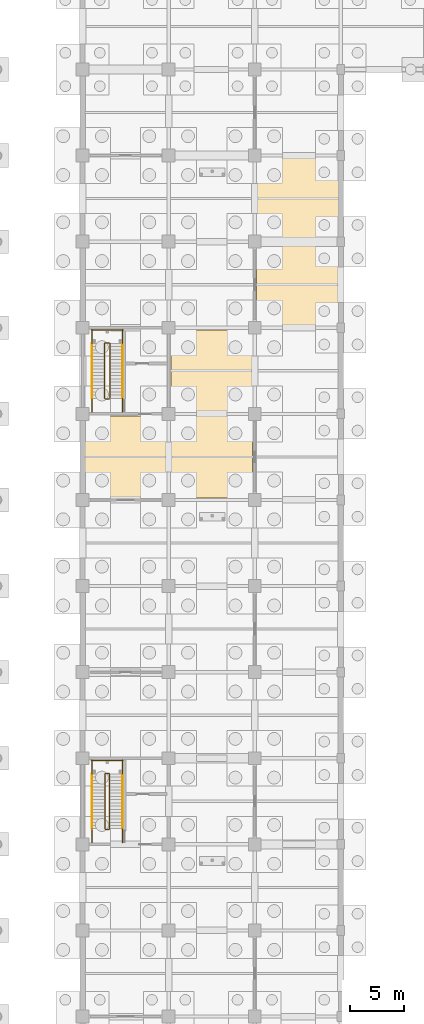
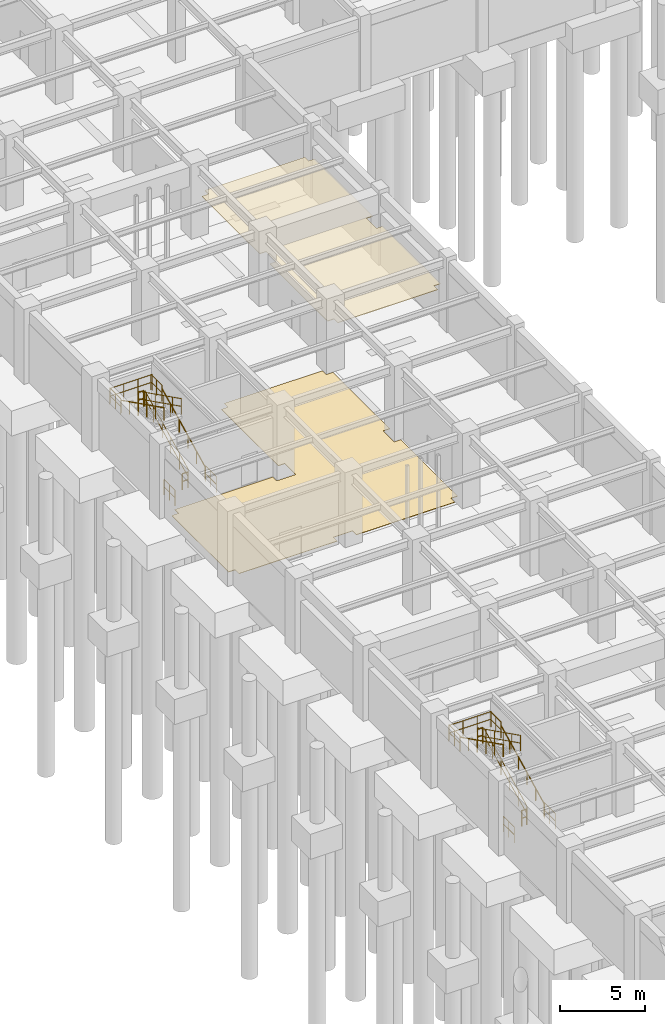
# One storey, part 93 of 97: 22 railings, 2 coverings.
"""IFC4 building model written with IfcOpenShell, lengths in metres."""

from ifc_helpers import new_model, si_unit, direction, frame, origin, origin_2d, place, context, subcontext, project, spatial, polyline, circle, outline, extrude, material, layer, layer_set, type_object, element, save


model = new_model("IFC4")

# Units and contexts
model_context = context("Model", 3, precision=1e-05, world=origin(), true_north=direction((0.0, 1.0)))
body_context = subcontext(model_context, "Body", "Model", "MODEL_VIEW")
ifc_project = project(units=[si_unit("LENGTHUNIT", "METRE"), si_unit("AREAUNIT", "SQUARE_METRE"), si_unit("VOLUMEUNIT", "CUBIC_METRE"), si_unit("PLANEANGLEUNIT", "RADIAN"), si_unit("MASSUNIT", "GRAM", prefix="KILO")], contexts=[model_context])

# Site, building, storey
site_placement = place(None, origin())
site = spatial("IfcSite", under=ifc_project, at=site_placement, CompositionType="ELEMENT")
building_placement = place(site_placement, origin())
building = spatial("IfcBuilding", under=site, at=building_placement, Name="Haebicheon Civic Stadium", CompositionType="ELEMENT")
storey_placement = place(building_placement, frame((0.0, 0.0, -5.39990234375)))
storey = spatial("IfcBuildingStorey", under=building, at=storey_placement, Name="B1", CompositionType="ELEMENT", Elevation=-5.39990234375)

# Coverings
ifc_material_1 = material(Name="Perforated mineral-fibre acoustic board", Category="gypsum")
ifc_layer_1 = layer(ifc_material_1, 0.0400390625, Name="Perforated mineral-fibre acoustic board")
ifc_layer_set_1 = layer_set([ifc_layer_1], Name="Perforated mineral-fibre acoustic board")
covering_type_1 = type_object("IfcCoveringType", Name="COV-CLG-AC", PredefinedType="CEILING", material=ifc_layer_set_1)
covering_1_placement = place(storey_placement, frame((0.0, 0.0, 2.809814453125)))
element("IfcCovering", 1, at=covering_1_placement, inside=storey, type_object=covering_type_1, material=ifc_layer_set_1, Name="B1 Broadcast Fibre Patch Room acoustic ceiling", PredefinedType="CEILING", context=body_context, shape_type="SweptSolid", body=[
    extrude(outline(polyline([(160.594970703125, 112.14501953125), (160.594970703125, 112.594970703125), (160.14501953125, 112.594970703125), (160.14501953125, 119.405029296875), (160.594970703125, 119.405029296875), (160.594970703125, 120.594970703125), (160.14501953125, 120.594970703125), (160.14501953125, 127.405029296875), (160.594970703125, 127.405029296875), (160.594970703125, 127.85498046875), (167.405029296875, 127.85498046875), (167.405029296875, 127.405029296875), (167.85498046875, 127.405029296875), (167.85498046875, 120.594970703125), (167.405029296875, 120.594970703125), (167.405029296875, 119.405029296875), (167.85498046875, 119.405029296875), (167.85498046875, 112.594970703125), (167.405029296875, 112.594970703125), (167.405029296875, 112.14501953125), (160.594970703125, 112.14501953125)])), origin(), (0.0, 0.0, 1.0), 0.0400390625),
])
ifc_material_2 = material(Name="Quartz epoxy resin mortar", Category="concrete")
ifc_layer_2 = layer(ifc_material_2, 0.030029296875, Name="Quartz epoxy resin mortar")
ifc_layer_set_2 = layer_set([ifc_layer_2], Name="Quartz epoxy resin mortar")
covering_type_2 = type_object("IfcCoveringType", Name="COV-FLR-EPX", PredefinedType="FLOORING", material=ifc_layer_set_2)
covering_2_placement = place(storey_placement, origin())
element("IfcCovering", 2, at=covering_2_placement, inside=storey, type_object=covering_type_2, material=ifc_layer_set_2, Name="B1 Central Catering Production Kitchen non-slip floor finish", PredefinedType="FLOORING", context=body_context, shape_type="SweptSolid", body=[
    extrude(outline(polyline([(144.199951171875, 103.35009765625), (144.64990234375, 103.35009765625), (144.64990234375, 103.800048828125), (151.35009765625, 103.800048828125), (151.35009765625, 103.35009765625), (152.64990234375, 103.35009765625), (152.64990234375, 104.64990234375), (152.199951171875, 104.64990234375), (152.199951171875, 111.35009765625), (152.64990234375, 111.35009765625), (152.64990234375, 111.800048828125), (159.35009765625, 111.800048828125), (159.35009765625, 111.35009765625), (159.800048828125, 111.35009765625), (159.800048828125, 104.64990234375), (159.35009765625, 104.64990234375), (159.35009765625, 103.35009765625), (159.800048828125, 103.35009765625), (159.800048828125, 96.64990234375), (159.35009765625, 96.64990234375), (159.35009765625, 96.199951171875), (152.64990234375, 96.199951171875), (152.64990234375, 96.64990234375), (151.35009765625, 96.64990234375), (151.35009765625, 96.199951171875), (144.64990234375, 96.199951171875), (144.64990234375, 96.64990234375), (144.199951171875, 96.64990234375), (144.199951171875, 103.35009765625)])), origin(), (0.0, 0.0, 1.0), 0.02978515625),
])

# Railings
ifc_material_3 = material(Name="Galvanised painted steel SM355", Category="steel")
railing_type_1 = type_object("IfcRailingType", Name="RL-GRD-1150", PredefinedType="GUARDRAIL", material=ifc_material_3)
railing_1_placement = place(storey_placement, frame((146.510009765625, 65.449951171875, 0.14990234375)))
element("IfcRailing", 3, at=railing_1_placement, inside=storey, type_object=railing_type_1, material=ifc_material_3, Name="B1 ST-10 stair guard 1", PredefinedType="GUARDRAIL", context=body_context, shape_type="SweptSolid", body=[
    extrude(circle(Radius=0.02392578125, at=origin_2d()), frame((0.0, 0.0, 1.1259765625), z_axis=(0.0, 0.894427191, 0.4472135955), x_axis=(-1.0, 0.0, 0.0)), (0.0, 0.0, 1.0), 5.7021484375),
    extrude(circle(Radius=0.02392578125, at=origin_2d()), frame((0.0, 0.0, 0.574951171875), z_axis=(0.0, 0.894427191, 0.4472135955), x_axis=(-1.0, 0.0, 0.0)), (0.0, 0.0, 1.0), 5.7021484375),
    extrude(circle(Radius=0.02099609375, at=origin_2d()), origin(), (0.0, 0.0, 1.0), 1.101806640625),
    extrude(circle(Radius=0.02099609375, at=origin_2d()), frame((0.0, 1.02001953125, 0.510009765625)), (0.0, 0.0, 1.0), 1.101806640625),
    extrude(circle(Radius=0.02099609375, at=origin_2d()), frame((0.0, 2.0400390625, 1.02001953125)), (0.0, 0.0, 1.0), 1.101806640625),
    extrude(circle(Radius=0.02099609375, at=origin_2d()), frame((0.0, 3.06005859375, 1.530029296875)), (0.0, 0.0, 1.0), 1.101806640625),
    extrude(circle(Radius=0.02099609375, at=origin_2d()), frame((0.0, 4.080078125, 2.0400390625)), (0.0, 0.0, 1.0), 1.101806640625),
    extrude(circle(Radius=0.02099609375, at=origin_2d()), frame((0.0, 5.10009765625, 2.550048828125)), (0.0, 0.0, 1.0), 1.101806640625),
])
railing_2_placement = place(storey_placement, frame((146.4599609375, 70.60009765625, 2.699951171875)))
element("IfcRailing", 4, at=railing_2_placement, inside=storey, type_object=railing_type_1, material=ifc_material_3, Name="B1 ST-10 stair guard 2", PredefinedType="GUARDRAIL", context=body_context, shape_type="SweptSolid", body=[
    extrude(circle(Radius=0.02392578125, at=origin_2d()), frame((0.0, 0.0, 1.1259765625), z_axis=(-1.0, 0.0, 0.0), x_axis=(0.0, -1.0, 0.0)), (0.0, 0.0, 1.0), 0.33984375),
    extrude(circle(Radius=0.02392578125, at=origin_2d()), frame((0.0, 0.0, 0.574951171875), z_axis=(-1.0, 0.0, 0.0), x_axis=(0.0, -1.0, 0.0)), (0.0, 0.0, 1.0), 0.33984375),
    extrude(circle(Radius=0.02099609375, at=origin_2d()), origin(), (0.0, 0.0, 1.0), 1.101806640625),
    extrude(circle(Radius=0.02099609375, at=origin_2d()), frame((-0.33984375, 0.0, 0.0)), (0.0, 0.0, 1.0), 1.101806640625),
])
for number, where, name in (
    (5, (147.68994140625, 70.550048828125, 2.699951171875), "B1 ST-10 stair guard 3"),
    (6, (144.889892578125, 70.550048828125, 2.699951171875), "B1 ST-10 stair guard 4"),
):
    element("IfcRailing", number, at=place(storey_placement, frame(where)), inside=storey, type_object=railing_type_1, material=ifc_material_3, Name=name, PredefinedType="GUARDRAIL", context=body_context, shape_type="SweptSolid", body=[
        extrude(circle(Radius=0.02392578125, at=origin_2d()), frame((0.0, 0.0, 1.1259765625), z_axis=(0.0, 1.0, 0.0), x_axis=(-1.0, 0.0, 0.0)), (0.0, 0.0, 1.0), 1.2900390625),
        extrude(circle(Radius=0.02392578125, at=origin_2d()), frame((0.0, 0.0, 0.574951171875), z_axis=(0.0, 1.0, 0.0), x_axis=(-1.0, 0.0, 0.0)), (0.0, 0.0, 1.0), 1.2900390625),
        extrude(circle(Radius=0.02099609375, at=origin_2d()), origin(), (0.0, 0.0, 1.0), 1.101806640625),
        extrude(circle(Radius=0.02099609375, at=origin_2d()), frame((0.0, 0.64501953125, 0.0)), (0.0, 0.0, 1.0), 1.101806640625),
        extrude(circle(Radius=0.02099609375, at=origin_2d()), frame((0.0, 1.2900390625, 0.0)), (0.0, 0.0, 1.0), 1.101806640625),
    ])
railing_3_placement = place(storey_placement, frame((147.739990234375, 71.7900390625, 2.699951171875)))
element("IfcRailing", 7, at=railing_3_placement, inside=storey, type_object=railing_type_1, material=ifc_material_3, Name="B1 ST-10 stair guard 5", PredefinedType="GUARDRAIL", context=body_context, shape_type="SweptSolid", body=[
    extrude(circle(Radius=0.02392578125, at=origin_2d()), frame((0.0, 0.0, 1.1259765625), z_axis=(-1.0, 0.0, 0.0), x_axis=(0.0, -1.0, 0.0)), (0.0, 0.0, 1.0), 2.89990234375),
    extrude(circle(Radius=0.02392578125, at=origin_2d()), frame((0.0, 0.0, 0.574951171875), z_axis=(-1.0, 0.0, 0.0), x_axis=(0.0, -1.0, 0.0)), (0.0, 0.0, 1.0), 2.89990234375),
    extrude(circle(Radius=0.02099609375, at=origin_2d()), origin(), (0.0, 0.0, 1.0), 1.101806640625),
    extrude(circle(Radius=0.02099609375, at=origin_2d()), frame((-0.966552734375, 0.0, 0.0)), (0.0, 0.0, 1.0), 1.101806640625),
    extrude(circle(Radius=0.02099609375, at=origin_2d()), frame((-1.933349609375, 0.0, 0.0)), (0.0, 0.0, 1.0), 1.101806640625),
    extrude(circle(Radius=0.02099609375, at=origin_2d()), frame((-2.89990234375, 0.0, 0.0)), (0.0, 0.0, 1.0), 1.101806640625),
])
railing_4_placement = place(storey_placement, frame((146.070068359375, 70.550048828125, 2.849853515625)))
element("IfcRailing", 8, at=railing_4_placement, inside=storey, type_object=railing_type_1, material=ifc_material_3, Name="B1 ST-10 stair guard 6", PredefinedType="GUARDRAIL", context=body_context, shape_type="SweptSolid", body=[
    extrude(circle(Radius=0.02392578125, at=origin_2d()), frame((0.0, 0.0, 1.1259765625), z_axis=(0.0, -0.894427191, 0.4472135955), x_axis=(1.0, 0.0, 0.0)), (0.0, 0.0, 1.0), 5.7021484375),
    extrude(circle(Radius=0.02392578125, at=origin_2d()), frame((0.0, 0.0, 0.574951171875), z_axis=(0.0, -0.894427191, 0.4472135955), x_axis=(1.0, 0.0, 0.0)), (0.0, 0.0, 1.0), 5.7021484375),
    extrude(circle(Radius=0.02099609375, at=origin_2d()), origin(), (0.0, 0.0, 1.0), 1.101806640625),
    extrude(circle(Radius=0.02099609375, at=origin_2d()), frame((0.0, -1.02001953125, 0.510009765625)), (0.0, 0.0, 1.0), 1.101806640625),
    extrude(circle(Radius=0.02099609375, at=origin_2d()), frame((0.0, -2.0400390625, 1.02001953125)), (0.0, 0.0, 1.0), 1.101806640625),
    extrude(circle(Radius=0.02099609375, at=origin_2d()), frame((0.0, -3.06005859375, 1.530029296875)), (0.0, 0.0, 1.0), 1.101806640625),
    extrude(circle(Radius=0.02099609375, at=origin_2d()), frame((0.0, -4.080078125, 2.0400390625)), (0.0, 0.0, 1.0), 1.101806640625),
    extrude(circle(Radius=0.02099609375, at=origin_2d()), frame((0.0, -5.10009765625, 2.550048828125)), (0.0, 0.0, 1.0), 1.101806640625),
])
railing_5_placement = place(storey_placement, frame((146.4599609375, 65.39990234375, 0.0)))
element("IfcRailing", 9, at=railing_5_placement, inside=storey, type_object=railing_type_1, material=ifc_material_3, Name="B1 ST-10 stair guard 7", PredefinedType="GUARDRAIL", context=body_context, shape_type="SweptSolid", body=[
    extrude(circle(Radius=0.02392578125, at=origin_2d()), frame((0.0, 0.0, 1.1259765625), z_axis=(-1.0, 0.0, 0.0), x_axis=(0.0, -1.0, 0.0)), (0.0, 0.0, 1.0), 0.33984375),
    extrude(circle(Radius=0.02392578125, at=origin_2d()), frame((0.0, 0.0, 0.574951171875), z_axis=(-1.0, 0.0, 0.0), x_axis=(0.0, -1.0, 0.0)), (0.0, 0.0, 1.0), 0.33984375),
    extrude(circle(Radius=0.02099609375, at=origin_2d()), origin(), (0.0, 0.0, 1.0), 1.101806640625),
    extrude(circle(Radius=0.02099609375, at=origin_2d()), frame((-0.33984375, 0.0, 0.0)), (0.0, 0.0, 1.0), 1.101806640625),
])
for number, where, name in (
    (10, (147.68994140625, 64.159912109375, 0.0), "B1 ST-10 stair guard 8"),
    (11, (144.889892578125, 64.159912109375, 0.0), "B1 ST-10 stair guard 9"),
):
    element("IfcRailing", number, at=place(storey_placement, frame(where)), inside=storey, type_object=railing_type_1, material=ifc_material_3, Name=name, PredefinedType="GUARDRAIL", context=body_context, shape_type="SweptSolid", body=[
        extrude(circle(Radius=0.02392578125, at=origin_2d()), frame((0.0, 0.0, 1.1259765625), z_axis=(0.0, 1.0, 0.0), x_axis=(-1.0, 0.0, 0.0)), (0.0, 0.0, 1.0), 1.2900390625),
        extrude(circle(Radius=0.02392578125, at=origin_2d()), frame((0.0, 0.0, 0.574951171875), z_axis=(0.0, 1.0, 0.0), x_axis=(-1.0, 0.0, 0.0)), (0.0, 0.0, 1.0), 1.2900390625),
        extrude(circle(Radius=0.02099609375, at=origin_2d()), origin(), (0.0, 0.0, 1.0), 1.101806640625),
        extrude(circle(Radius=0.02099609375, at=origin_2d()), frame((0.0, 0.64501953125, 0.0)), (0.0, 0.0, 1.0), 1.101806640625),
        extrude(circle(Radius=0.02099609375, at=origin_2d()), frame((0.0, 1.2900390625, 0.0)), (0.0, 0.0, 1.0), 1.101806640625),
    ])
railing_6_placement = place(storey_placement, frame((146.530029296875, 105.449951171875, 0.14990234375)))
element("IfcRailing", 12, at=railing_6_placement, inside=storey, type_object=railing_type_1, material=ifc_material_3, Name="B1 ST-11 stair guard 1", PredefinedType="GUARDRAIL", context=body_context, shape_type="SweptSolid", body=[
    extrude(circle(Radius=0.02392578125, at=origin_2d()), frame((0.0, 0.0, 1.1259765625), z_axis=(0.0, 0.894427191, 0.4472135955), x_axis=(-1.0, 0.0, 0.0)), (0.0, 0.0, 1.0), 5.7021484375),
    extrude(circle(Radius=0.02392578125, at=origin_2d()), frame((0.0, 0.0, 0.574951171875), z_axis=(0.0, 0.894427191, 0.4472135955), x_axis=(-1.0, 0.0, 0.0)), (0.0, 0.0, 1.0), 5.7021484375),
    extrude(circle(Radius=0.02099609375, at=origin_2d()), origin(), (0.0, 0.0, 1.0), 1.101806640625),
    extrude(circle(Radius=0.02099609375, at=origin_2d()), frame((0.0, 1.02001953125, 0.510009765625)), (0.0, 0.0, 1.0), 1.101806640625),
    extrude(circle(Radius=0.02099609375, at=origin_2d()), frame((0.0, 2.0400390625, 1.02001953125)), (0.0, 0.0, 1.0), 1.101806640625),
    extrude(circle(Radius=0.02099609375, at=origin_2d()), frame((0.0, 3.06005859375, 1.530029296875)), (0.0, 0.0, 1.0), 1.101806640625),
    extrude(circle(Radius=0.02099609375, at=origin_2d()), frame((0.0, 4.080078125, 2.0400390625)), (0.0, 0.0, 1.0), 1.101806640625),
    extrude(circle(Radius=0.02099609375, at=origin_2d()), frame((0.0, 5.10009765625, 2.550048828125)), (0.0, 0.0, 1.0), 1.101806640625),
])
railing_7_placement = place(storey_placement, frame((146.47998046875, 110.60009765625, 2.699951171875)))
element("IfcRailing", 13, at=railing_7_placement, inside=storey, type_object=railing_type_1, material=ifc_material_3, Name="B1 ST-11 stair guard 2", PredefinedType="GUARDRAIL", context=body_context, shape_type="SweptSolid", body=[
    extrude(circle(Radius=0.02392578125, at=origin_2d()), frame((0.0, 0.0, 1.1259765625), z_axis=(-1.0, 0.0, 0.0), x_axis=(0.0, -1.0, 0.0)), (0.0, 0.0, 1.0), 0.3798828125),
    extrude(circle(Radius=0.02392578125, at=origin_2d()), frame((0.0, 0.0, 0.574951171875), z_axis=(-1.0, 0.0, 0.0), x_axis=(0.0, -1.0, 0.0)), (0.0, 0.0, 1.0), 0.3798828125),
    extrude(circle(Radius=0.02099609375, at=origin_2d()), origin(), (0.0, 0.0, 1.0), 1.101806640625),
    extrude(circle(Radius=0.02099609375, at=origin_2d()), frame((-0.3798828125, 0.0, 0.0)), (0.0, 0.0, 1.0), 1.101806640625),
])
for number, where, name in (
    (14, (147.68994140625, 110.550048828125, 2.699951171875), "B1 ST-11 stair guard 3"),
    (15, (144.889892578125, 110.550048828125, 2.699951171875), "B1 ST-11 stair guard 4"),
):
    element("IfcRailing", number, at=place(storey_placement, frame(where)), inside=storey, type_object=railing_type_1, material=ifc_material_3, Name=name, PredefinedType="GUARDRAIL", context=body_context, shape_type="SweptSolid", body=[
        extrude(circle(Radius=0.02392578125, at=origin_2d()), frame((0.0, 0.0, 1.1259765625), z_axis=(0.0, 1.0, 0.0), x_axis=(-1.0, 0.0, 0.0)), (0.0, 0.0, 1.0), 1.2900390625),
        extrude(circle(Radius=0.02392578125, at=origin_2d()), frame((0.0, 0.0, 0.574951171875), z_axis=(0.0, 1.0, 0.0), x_axis=(-1.0, 0.0, 0.0)), (0.0, 0.0, 1.0), 1.2900390625),
        extrude(circle(Radius=0.02099609375, at=origin_2d()), origin(), (0.0, 0.0, 1.0), 1.101806640625),
        extrude(circle(Radius=0.02099609375, at=origin_2d()), frame((0.0, 0.64501953125, 0.0)), (0.0, 0.0, 1.0), 1.101806640625),
        extrude(circle(Radius=0.02099609375, at=origin_2d()), frame((0.0, 1.2900390625, 0.0)), (0.0, 0.0, 1.0), 1.101806640625),
    ])
railing_8_placement = place(storey_placement, frame((147.739990234375, 111.7900390625, 2.699951171875)))
element("IfcRailing", 16, at=railing_8_placement, inside=storey, type_object=railing_type_1, material=ifc_material_3, Name="B1 ST-11 stair guard 5", PredefinedType="GUARDRAIL", context=body_context, shape_type="SweptSolid", body=[
    extrude(circle(Radius=0.02392578125, at=origin_2d()), frame((0.0, 0.0, 1.1259765625), z_axis=(-1.0, 0.0, 0.0), x_axis=(0.0, -1.0, 0.0)), (0.0, 0.0, 1.0), 2.89990234375),
    extrude(circle(Radius=0.02392578125, at=origin_2d()), frame((0.0, 0.0, 0.574951171875), z_axis=(-1.0, 0.0, 0.0), x_axis=(0.0, -1.0, 0.0)), (0.0, 0.0, 1.0), 2.89990234375),
    extrude(circle(Radius=0.02099609375, at=origin_2d()), origin(), (0.0, 0.0, 1.0), 1.101806640625),
    extrude(circle(Radius=0.02099609375, at=origin_2d()), frame((-0.966552734375, 0.0, 0.0)), (0.0, 0.0, 1.0), 1.101806640625),
    extrude(circle(Radius=0.02099609375, at=origin_2d()), frame((-1.933349609375, 0.0, 0.0)), (0.0, 0.0, 1.0), 1.101806640625),
    extrude(circle(Radius=0.02099609375, at=origin_2d()), frame((-2.89990234375, 0.0, 0.0)), (0.0, 0.0, 1.0), 1.101806640625),
])
railing_9_placement = place(storey_placement, frame((146.050048828125, 110.550048828125, 2.849853515625)))
element("IfcRailing", 17, at=railing_9_placement, inside=storey, type_object=railing_type_1, material=ifc_material_3, Name="B1 ST-11 stair guard 6", PredefinedType="GUARDRAIL", context=body_context, shape_type="SweptSolid", body=[
    extrude(circle(Radius=0.02392578125, at=origin_2d()), frame((0.0, 0.0, 1.1259765625), z_axis=(0.0, -0.894427191, 0.4472135955), x_axis=(1.0, 0.0, 0.0)), (0.0, 0.0, 1.0), 5.7021484375),
    extrude(circle(Radius=0.02392578125, at=origin_2d()), frame((0.0, 0.0, 0.574951171875), z_axis=(0.0, -0.894427191, 0.4472135955), x_axis=(1.0, 0.0, 0.0)), (0.0, 0.0, 1.0), 5.7021484375),
    extrude(circle(Radius=0.02099609375, at=origin_2d()), origin(), (0.0, 0.0, 1.0), 1.101806640625),
    extrude(circle(Radius=0.02099609375, at=origin_2d()), frame((0.0, -1.02001953125, 0.510009765625)), (0.0, 0.0, 1.0), 1.101806640625),
    extrude(circle(Radius=0.02099609375, at=origin_2d()), frame((0.0, -2.0400390625, 1.02001953125)), (0.0, 0.0, 1.0), 1.101806640625),
    extrude(circle(Radius=0.02099609375, at=origin_2d()), frame((0.0, -3.06005859375, 1.530029296875)), (0.0, 0.0, 1.0), 1.101806640625),
    extrude(circle(Radius=0.02099609375, at=origin_2d()), frame((0.0, -4.080078125, 2.0400390625)), (0.0, 0.0, 1.0), 1.101806640625),
    extrude(circle(Radius=0.02099609375, at=origin_2d()), frame((0.0, -5.10009765625, 2.550048828125)), (0.0, 0.0, 1.0), 1.101806640625),
])
railing_10_placement = place(storey_placement, frame((146.47998046875, 105.39990234375, 0.0)))
element("IfcRailing", 18, at=railing_10_placement, inside=storey, type_object=railing_type_1, material=ifc_material_3, Name="B1 ST-11 stair guard 7", PredefinedType="GUARDRAIL", context=body_context, shape_type="SweptSolid", body=[
    extrude(circle(Radius=0.02392578125, at=origin_2d()), frame((0.0, 0.0, 1.1259765625), z_axis=(-1.0, 0.0, 0.0), x_axis=(0.0, -1.0, 0.0)), (0.0, 0.0, 1.0), 0.3798828125),
    extrude(circle(Radius=0.02392578125, at=origin_2d()), frame((0.0, 0.0, 0.574951171875), z_axis=(-1.0, 0.0, 0.0), x_axis=(0.0, -1.0, 0.0)), (0.0, 0.0, 1.0), 0.3798828125),
    extrude(circle(Radius=0.02099609375, at=origin_2d()), origin(), (0.0, 0.0, 1.0), 1.101806640625),
    extrude(circle(Radius=0.02099609375, at=origin_2d()), frame((-0.3798828125, 0.0, 0.0)), (0.0, 0.0, 1.0), 1.101806640625),
])
for number, where, name in (
    (19, (147.68994140625, 104.159912109375, 0.0), "B1 ST-11 stair guard 8"),
    (20, (144.889892578125, 104.159912109375, 0.0), "B1 ST-11 stair guard 9"),
):
    element("IfcRailing", number, at=place(storey_placement, frame(where)), inside=storey, type_object=railing_type_1, material=ifc_material_3, Name=name, PredefinedType="GUARDRAIL", context=body_context, shape_type="SweptSolid", body=[
        extrude(circle(Radius=0.02392578125, at=origin_2d()), frame((0.0, 0.0, 1.1259765625), z_axis=(0.0, 1.0, 0.0), x_axis=(-1.0, 0.0, 0.0)), (0.0, 0.0, 1.0), 1.2900390625),
        extrude(circle(Radius=0.02392578125, at=origin_2d()), frame((0.0, 0.0, 0.574951171875), z_axis=(0.0, 1.0, 0.0), x_axis=(-1.0, 0.0, 0.0)), (0.0, 0.0, 1.0), 1.2900390625),
        extrude(circle(Radius=0.02099609375, at=origin_2d()), origin(), (0.0, 0.0, 1.0), 1.101806640625),
        extrude(circle(Radius=0.02099609375, at=origin_2d()), frame((0.0, 0.64501953125, 0.0)), (0.0, 0.0, 1.0), 1.101806640625),
        extrude(circle(Radius=0.02099609375, at=origin_2d()), frame((0.0, 1.2900390625, 0.0)), (0.0, 0.0, 1.0), 1.101806640625),
    ])
ifc_material_4 = material(Name="Stainless steel 316", Category="steel")
railing_type_2 = type_object("IfcRailingType", Name="RL-HND-900", PredefinedType="HANDRAIL", material=ifc_material_4)
railing_11_placement = place(storey_placement, frame((147.68994140625, 65.449951171875, 0.14990234375)))
element("IfcRailing", 21, at=railing_11_placement, inside=storey, type_object=railing_type_2, material=ifc_material_4, Name="B1 ST-10 stair handrail 1", PredefinedType="HANDRAIL", context=body_context, shape_type="SweptSolid", body=[
    extrude(circle(Radius=0.02392578125, at=origin_2d()), frame((0.0, 0.0, 0.8759765625), z_axis=(0.0, 0.894427191, 0.4472135955), x_axis=(-1.0, 0.0, 0.0)), (0.0, 0.0, 1.0), 5.7021484375),
    extrude(circle(Radius=0.02099609375, at=origin_2d()), origin(), (0.0, 0.0, 1.0), 0.851806640625),
    extrude(circle(Radius=0.02099609375, at=origin_2d()), frame((0.0, 1.02001953125, 0.510009765625)), (0.0, 0.0, 1.0), 0.851806640625),
    extrude(circle(Radius=0.02099609375, at=origin_2d()), frame((0.0, 2.0400390625, 1.02001953125)), (0.0, 0.0, 1.0), 0.851806640625),
    extrude(circle(Radius=0.02099609375, at=origin_2d()), frame((0.0, 3.06005859375, 1.530029296875)), (0.0, 0.0, 1.0), 0.851806640625),
    extrude(circle(Radius=0.02099609375, at=origin_2d()), frame((0.0, 4.080078125, 2.0400390625)), (0.0, 0.0, 1.0), 0.851806640625),
    extrude(circle(Radius=0.02099609375, at=origin_2d()), frame((0.0, 5.10009765625, 2.550048828125)), (0.0, 0.0, 1.0), 0.851806640625),
])
railing_12_placement = place(storey_placement, frame((144.889892578125, 70.550048828125, 2.849853515625)))
element("IfcRailing", 22, at=railing_12_placement, inside=storey, type_object=railing_type_2, material=ifc_material_4, Name="B1 ST-10 stair handrail 2", PredefinedType="HANDRAIL", context=body_context, shape_type="SweptSolid", body=[
    extrude(circle(Radius=0.02392578125, at=origin_2d()), frame((0.0, 0.0, 0.8759765625), z_axis=(0.0, -0.894427191, 0.4472135955), x_axis=(1.0, 0.0, 0.0)), (0.0, 0.0, 1.0), 5.7021484375),
    extrude(circle(Radius=0.02099609375, at=origin_2d()), origin(), (0.0, 0.0, 1.0), 0.851806640625),
    extrude(circle(Radius=0.02099609375, at=origin_2d()), frame((0.0, -1.02001953125, 0.510009765625)), (0.0, 0.0, 1.0), 0.851806640625),
    extrude(circle(Radius=0.02099609375, at=origin_2d()), frame((0.0, -2.0400390625, 1.02001953125)), (0.0, 0.0, 1.0), 0.851806640625),
    extrude(circle(Radius=0.02099609375, at=origin_2d()), frame((0.0, -3.06005859375, 1.530029296875)), (0.0, 0.0, 1.0), 0.851806640625),
    extrude(circle(Radius=0.02099609375, at=origin_2d()), frame((0.0, -4.080078125, 2.0400390625)), (0.0, 0.0, 1.0), 0.851806640625),
    extrude(circle(Radius=0.02099609375, at=origin_2d()), frame((0.0, -5.10009765625, 2.550048828125)), (0.0, 0.0, 1.0), 0.851806640625),
])
railing_13_placement = place(storey_placement, frame((147.68994140625, 105.449951171875, 0.14990234375)))
element("IfcRailing", 23, at=railing_13_placement, inside=storey, type_object=railing_type_2, material=ifc_material_4, Name="B1 ST-11 stair handrail 1", PredefinedType="HANDRAIL", context=body_context, shape_type="SweptSolid", body=[
    extrude(circle(Radius=0.02392578125, at=origin_2d()), frame((0.0, 0.0, 0.8759765625), z_axis=(0.0, 0.894427191, 0.4472135955), x_axis=(-1.0, 0.0, 0.0)), (0.0, 0.0, 1.0), 5.7021484375),
    extrude(circle(Radius=0.02099609375, at=origin_2d()), origin(), (0.0, 0.0, 1.0), 0.851806640625),
    extrude(circle(Radius=0.02099609375, at=origin_2d()), frame((0.0, 1.02001953125, 0.510009765625)), (0.0, 0.0, 1.0), 0.851806640625),
    extrude(circle(Radius=0.02099609375, at=origin_2d()), frame((0.0, 2.0400390625, 1.02001953125)), (0.0, 0.0, 1.0), 0.851806640625),
    extrude(circle(Radius=0.02099609375, at=origin_2d()), frame((0.0, 3.06005859375, 1.530029296875)), (0.0, 0.0, 1.0), 0.851806640625),
    extrude(circle(Radius=0.02099609375, at=origin_2d()), frame((0.0, 4.080078125, 2.0400390625)), (0.0, 0.0, 1.0), 0.851806640625),
    extrude(circle(Radius=0.02099609375, at=origin_2d()), frame((0.0, 5.10009765625, 2.550048828125)), (0.0, 0.0, 1.0), 0.851806640625),
])
railing_14_placement = place(storey_placement, frame((144.889892578125, 110.550048828125, 2.849853515625)))
element("IfcRailing", 24, at=railing_14_placement, inside=storey, type_object=railing_type_2, material=ifc_material_4, Name="B1 ST-11 stair handrail 2", PredefinedType="HANDRAIL", context=body_context, shape_type="SweptSolid", body=[
    extrude(circle(Radius=0.02392578125, at=origin_2d()), frame((0.0, 0.0, 0.8759765625), z_axis=(0.0, -0.894427191, 0.4472135955), x_axis=(1.0, 0.0, 0.0)), (0.0, 0.0, 1.0), 5.7021484375),
    extrude(circle(Radius=0.02099609375, at=origin_2d()), origin(), (0.0, 0.0, 1.0), 0.851806640625),
    extrude(circle(Radius=0.02099609375, at=origin_2d()), frame((0.0, -1.02001953125, 0.510009765625)), (0.0, 0.0, 1.0), 0.851806640625),
    extrude(circle(Radius=0.02099609375, at=origin_2d()), frame((0.0, -2.0400390625, 1.02001953125)), (0.0, 0.0, 1.0), 0.851806640625),
    extrude(circle(Radius=0.02099609375, at=origin_2d()), frame((0.0, -3.06005859375, 1.530029296875)), (0.0, 0.0, 1.0), 0.851806640625),
    extrude(circle(Radius=0.02099609375, at=origin_2d()), frame((0.0, -4.080078125, 2.0400390625)), (0.0, 0.0, 1.0), 0.851806640625),
    extrude(circle(Radius=0.02099609375, at=origin_2d()), frame((0.0, -5.10009765625, 2.550048828125)), (0.0, 0.0, 1.0), 0.851806640625),
])

save(model, "model.ifc")
